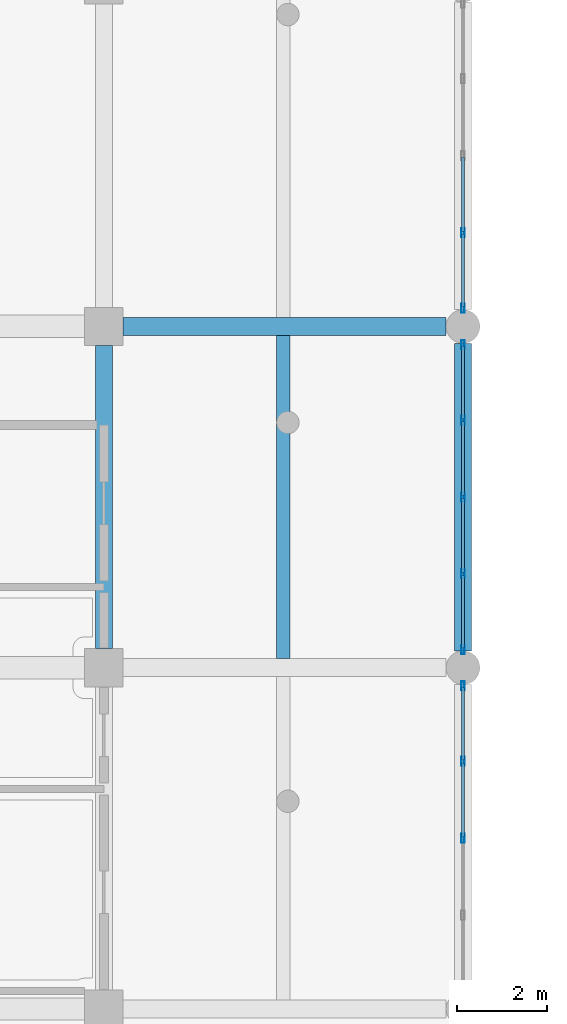
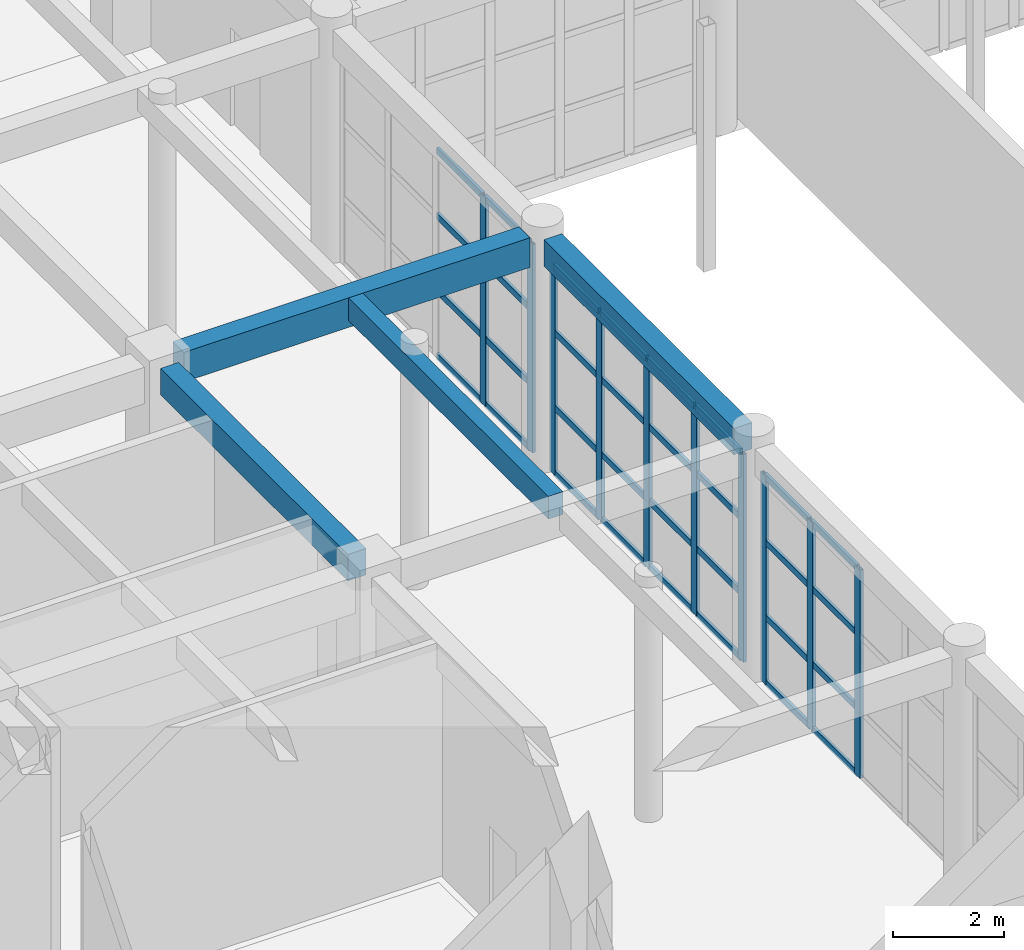
# One storey, part 36 of 95: 42 members, 4 beams, 3 elements without a shape of their own.
"""IFC4 building model written with IfcOpenShell, lengths in metres."""

import ifcopenshell
import ifcopenshell.guid

model = None  # the IFC model being written
_history = None  # IfcOwnerHistory: only IFC2X3 demands one
_inside = {}  # id of a spatial element -> (the spatial element, [elements in it])
_under = {}  # id of a project, library or spatial element -> (it, [spatial elements below it])
_declared = {}  # id of a project -> (the project, [libraries it declares])
_typed = {}  # id of a type object -> (the type object, [elements of that type])
_made_of = {}  # id of a material, layer set ... -> (it, [elements and type objects made of it])


def new_model(schema):
    """Start an empty IFC model of exactly this schema.

    Asked for "IFC4X3", IfcOpenShell would pick the latest addendum, in which some entities
    have other attributes; the version numbers below select the first issue.
    IFC2X3 requires an IfcOwnerHistory on every rooted entity: one is made here for all.
    """
    global model, _history
    if schema == "IFC4X3":
        model = ifcopenshell.file(schema_version=(4, 3, 0, 0))
    else:
        model = ifcopenshell.file(schema=schema)
    _inside.clear()
    _under.clear()
    _declared.clear()
    _typed.clear()
    _made_of.clear()
    _history = None
    if model.schema == "IFC2X3":
        org = make("IfcOrganization", Name="unknown")
        user = make(
            "IfcPersonAndOrganization",
            ThePerson=make("IfcPerson", FamilyName="unknown"),
            TheOrganization=org,
        )
        app = make(
            "IfcApplication",
            ApplicationDeveloper=org,
            Version="unknown",
            ApplicationFullName="unknown",
            ApplicationIdentifier="unknown",
        )
        _history = make(
            "IfcOwnerHistory",
            OwningUser=user,
            OwningApplication=app,
            ChangeAction="ADDED",
            CreationDate=0,
        )
    return model


def make(cls, **values):
    """One entity of the class cls with the attributes given. An attribute that is None is left unset."""
    return model.create_entity(
        cls, **{name: value for name, value in values.items() if value is not None}
    )


def rooted(cls, **values):
    """An entity with a GlobalId (a new one), such as an element, a storey or a relation."""
    return make(cls, GlobalId=ifcopenshell.guid.new(), OwnerHistory=_history, **values)


def si_unit(unit_type, name, prefix=None):
    """IfcSIUnit, for example si_unit("LENGTHUNIT", "METRE", prefix="MILLI")."""
    return make("IfcSIUnit", UnitType=unit_type, Prefix=prefix, Name=name)


def assignment(units):
    """IfcUnitAssignment: the units of a project."""
    return None if units is None else make("IfcUnitAssignment", Units=units)


def point(xyz):
    """IfcCartesianPoint."""
    return None if xyz is None else make("IfcCartesianPoint", Coordinates=xyz)


def direction(xyz):
    """IfcDirection."""
    return None if xyz is None else make("IfcDirection", DirectionRatios=xyz)


def frame(location, z_axis=None, x_axis=None):
    """IfcAxis2Placement3D, a coordinate frame: its origin and axes. An axis left out is left unset."""
    return make(
        "IfcAxis2Placement3D",
        Location=point(location),
        Axis=direction(z_axis),
        RefDirection=direction(x_axis),
    )


def frame_2d(location, x_axis=None):
    """IfcAxis2Placement2D, a coordinate frame in the plane: its origin and x axis."""
    return make(
        "IfcAxis2Placement2D", Location=point(location), RefDirection=direction(x_axis)
    )


def origin():
    """The frame at (0, 0, 0) with its axes left unset."""
    return frame((0.0, 0.0, 0.0))


def origin_2d():
    """The frame at (0, 0) in the plane with its x axis left unset."""
    return frame_2d((0.0, 0.0))


def place(relative_to, where):
    """IfcLocalPlacement: puts the frame where relative to a parent placement (None: the world)."""
    return make(
        "IfcLocalPlacement", PlacementRelTo=relative_to, RelativePlacement=where
    )


def context(
    kind, dimensions, precision=None, world=None, true_north=None, identifier=None
):
    """IfcGeometricRepresentationContext, for example the 3D "Model" context."""
    return make(
        "IfcGeometricRepresentationContext",
        ContextIdentifier=identifier,
        ContextType=kind,
        CoordinateSpaceDimension=dimensions,
        Precision=precision,
        WorldCoordinateSystem=world,
        TrueNorth=true_north,
    )


def subcontext(parent, identifier, kind, view, scale=None):
    """IfcGeometricRepresentationSubContext, for example "Body" below "Model"."""
    return make(
        "IfcGeometricRepresentationSubContext",
        ContextIdentifier=identifier,
        ContextType=kind,
        ParentContext=parent,
        TargetScale=scale,
        TargetView=view,
    )


def project(units=None, contexts=None):
    """IfcProject with its units and contexts."""
    return rooted(
        "IfcProject",
        Name="project",
        RepresentationContexts=contexts,
        UnitsInContext=assignment(units),
    )


def spatial(cls, under=None, at=None, **own):
    """A site, building, storey or space (cls), placed at a placement, below another one or the project."""
    s = rooted(cls, ObjectPlacement=at, **own)
    if under is not None:
        _under.setdefault(under.id(), (under, []))[1].append(s)
    return s


def profile(cls, at=None, kind="AREA", **sizes):
    """A parametric profile (cls). Its sizes go by their IFC names, for example OverallWidth=200.0."""
    return make(cls, ProfileType=kind, Position=at, **sizes)


def rectangle(**sizes):
    """IfcRectangleProfileDef."""
    return profile("IfcRectangleProfileDef", **sizes)


def hollow_rectangle(**sizes):
    """IfcRectangleHollowProfileDef."""
    return profile("IfcRectangleHollowProfileDef", **sizes)


def extrude(swept, where, along, depth):
    """IfcExtrudedAreaSolid: the profile swept, set in the frame where, extruded along a direction by depth."""
    return make(
        "IfcExtrudedAreaSolid",
        SweptArea=swept,
        Position=where,
        ExtrudedDirection=direction(along),
        Depth=depth,
    )


def shape(context_of_items, identifier, shape_type, items):
    """IfcShapeRepresentation: the items that make up one representation, for example the "Body"."""
    return make(
        "IfcShapeRepresentation",
        ContextOfItems=context_of_items,
        RepresentationIdentifier=identifier,
        RepresentationType=shape_type,
        Items=items,
    )


def material(Name=None, Category=None):
    """IfcMaterial."""
    return make("IfcMaterial", Name=Name, Category=Category)


def material_profile(
    of_material, cross_section, Name=None, Category=None, Priority=None
):
    """IfcMaterialProfile: a cross section and its material."""
    return make(
        "IfcMaterialProfile",
        Name=Name,
        Material=of_material,
        Profile=cross_section,
        Priority=Priority,
        Category=Category,
    )


def profile_set(profiles, Name=None, composite=None):
    """IfcMaterialProfileSet."""
    return make(
        "IfcMaterialProfileSet",
        Name=Name,
        MaterialProfiles=profiles,
        CompositeProfile=composite,
    )


def made_of(thing, what):
    """Note that an element or type object is made of a material, layer set ...; save() writes the relation."""
    if what is not None:
        _made_of.setdefault(what.id(), (what, []))[1].append(thing)
    return thing


def type_object(cls, material=None, **own):
    """A type object (cls), such as IfcWallType, which elements share."""
    return made_of(rooted(cls, **own), material)


def element(
    cls,
    number,
    at=None,
    inside=None,
    cuts=None,
    type_object=None,
    material=None,
    context=None,
    identifier="Body",
    shape_type=None,
    held_by="IfcProductDefinitionShape",
    body=None,
    shapes=None,
    **own,
):
    """One element of the class cls, such as IfcWall. Its Tag is "e" and its number.

    at: its placement. inside: the storey or other place that contains it. cuts: it is an
    opening in that element (IfcRelVoidsElement). A single representation is given by context,
    identifier, shape_type and body (its items); several are given by shapes. held_by: the class
    of the entity that holds the representations. save() writes the other relations.
    """
    e = rooted(cls, Tag="e%d" % number, ObjectPlacement=at, **own)
    if body is not None:
        shapes = [shape(context, identifier, shape_type, body)]
    if shapes is not None:
        e.Representation = make(held_by, Representations=shapes)
    if inside is not None:
        _inside.setdefault(inside.id(), (inside, []))[1].append(e)
    if cuts is not None:
        rooted(
            "IfcRelVoidsElement", RelatingBuildingElement=cuts, RelatedOpeningElement=e
        )
    if type_object is not None:
        _typed.setdefault(type_object.id(), (type_object, []))[1].append(e)
    return made_of(e, material)


def aggregate(whole, parts):
    """IfcRelAggregates: a whole, such as a stair, and the parts it consists of."""
    return rooted("IfcRelAggregates", RelatingObject=whole, RelatedObjects=parts)


def save(model, path):
    """Write the relations noted so far, then the file.

    IfcRelAggregates (storeys below a building ...), IfcRelContainedInSpatialStructure (elements
    in a storey), IfcRelDefinesByType, IfcRelAssociatesMaterial and IfcRelDeclares: one each for
    every whole, place, type object, material and project.
    """
    for whole, parts in _under.values():
        aggregate(whole, parts)
    for where, things in _inside.values():
        rooted(
            "IfcRelContainedInSpatialStructure",
            RelatedElements=things,
            RelatingStructure=where,
        )
    for kind, things in _typed.values():
        rooted("IfcRelDefinesByType", RelatedObjects=things, RelatingType=kind)
    for what, things in _made_of.values():
        rooted("IfcRelAssociatesMaterial", RelatedObjects=things, RelatingMaterial=what)
    for by, libraries in _declared.values():
        rooted("IfcRelDeclares", RelatingContext=by, RelatedDefinitions=libraries)
    model.write(path)


model = new_model("IFC4")

# Units and contexts
model_context = context("Model", 3, precision=1e-05, world=origin(), true_north=direction((0.0, 1.0)))
body_context = subcontext(model_context, "Body", "Model", "MODEL_VIEW")
ifc_project = project(units=[si_unit("LENGTHUNIT", "METRE"), si_unit("AREAUNIT", "SQUARE_METRE"), si_unit("VOLUMEUNIT", "CUBIC_METRE"), si_unit("PLANEANGLEUNIT", "RADIAN"), si_unit("MASSUNIT", "GRAM", prefix="KILO")], contexts=[model_context])

# Site, building, storey
site_placement = place(None, origin())
site = spatial("IfcSite", under=ifc_project, at=site_placement, CompositionType="ELEMENT")
building_placement = place(site_placement, origin())
building = spatial("IfcBuilding", under=site, at=building_placement, Name="Zantavel Square City Hall", CompositionType="ELEMENT")
storey_placement = place(building_placement, origin())
storey = spatial("IfcBuildingStorey", under=building, at=storey_placement, Name="L01", CompositionType="ELEMENT", Elevation=0.0)

# Beams
ifc_material_1 = material(Name="Concrete C35/45", Category="concrete")
ifc_material_profile_1 = material_profile(ifc_material_1, rectangle(XDim=0.3798828125, YDim=0.580078125, at=origin_2d()), Name="RC 380x580")
ifc_profile_set_1 = profile_set([ifc_material_profile_1], Name="Concrete C35/45")
beam_type_1 = type_object("IfcBeamType", Name="Annex Secondary Beam RC 380x580 C35/45", PredefinedType="BEAM", material=ifc_profile_set_1)
beam_1_placement = place(storey_placement, frame((112.0, 53.625, 4.8701171875), z_axis=(0.0, 1.0, 0.0), x_axis=(-1.0, 0.0, 0.0)))
element("IfcBeam", 1, at=beam_1_placement, inside=storey, type_object=beam_type_1, Name="L01 Beam BMY-L01-1120-0532", PredefinedType="BEAM", context=body_context, shape_type="SweptSolid", body=[
    extrude(rectangle(XDim=0.3798828125, YDim=0.580078125, at=origin_2d()), origin(), (0.0, 0.0, 1.0), 6.75),
])
beam_2_placement = place(storey_placement, frame((120.0, 53.574951171875, 4.8701171875), z_axis=(0.0, 1.0, 0.0), x_axis=(-1.0, 0.0, 0.0)))
element("IfcBeam", 2, at=beam_2_placement, inside=storey, type_object=beam_type_1, Name="L01 Beam BMY-L01-1200-0532", PredefinedType="BEAM", context=body_context, shape_type="SweptSolid", body=[
    extrude(rectangle(XDim=0.3798828125, YDim=0.580078125, at=origin_2d()), origin(), (0.0, 0.0, 1.0), 6.85009765625),
])

# Curtain wall, members
ifc_material_2 = material(Name="Anodised aluminium 6063-T6", Category="aluminium")
curtain_wall_type = type_object("IfcCurtainWallType", Name="Curtain Wall CRT 6850x4580", PredefinedType="USERDEFINED", material=ifc_material_2)
curtain_wall_1_placement = place(storey_placement, origin())
curtain_wall_1 = element("IfcCurtainWall", 3, at=curtain_wall_1_placement, inside=storey, type_object=curtain_wall_type, Name="L01 Glazed Curtain Wall CW-L01-023", ObjectType="GLAZED CURTAIN WALL", PredefinedType="USERDEFINED")
ifc_material_profile_2 = material_profile(ifc_material_2, hollow_rectangle(XDim=0.070068359375, YDim=0.199951171875, WallThickness=0.00439453125, at=origin_2d()), Name="ALU 70x200x4.5")
ifc_profile_set_2 = profile_set([ifc_material_profile_2], Name="Anodised aluminium 6063-T6")
member_type_1 = type_object("IfcMemberType", Name="CW Heavy Hall Mullion ALU 70x200x4.5", PredefinedType="MULLION", material=ifc_profile_set_2)
member_1_placement = place(storey_placement, frame((120.0, 62.887451171875, 0.0), z_axis=(0.0, 0.0, 1.0), x_axis=(1.0, 0.0, 0.0)))
member_1 = element("IfcMember", 4, at=member_1_placement, type_object=member_type_1, Name="CW-023 mullion 4", PredefinedType="MULLION", context=body_context, shape_type="SweptSolid", body=[
    extrude(hollow_rectangle(XDim=0.070068359375, YDim=0.199951171875, WallThickness=0.00439453125, at=origin_2d()), origin(), (0.0, 0.0, 1.0), 4.580078125),
])
member_2_placement = place(storey_placement, frame((120.0, 61.205078125, 0.0), z_axis=(0.0, 0.0, 1.0), x_axis=(1.0, 0.0, 0.0)))
member_2 = element("IfcMember", 5, at=member_2_placement, type_object=member_type_1, Name="CW-023 mullion 5", PredefinedType="MULLION", context=body_context, shape_type="SweptSolid", body=[
    extrude(hollow_rectangle(XDim=0.070068359375, YDim=0.199951171875, WallThickness=0.00439453125, at=origin_2d()), origin(), (0.0, 0.0, 1.0), 4.580078125),
])

curtain_wall_2_placement = place(storey_placement, origin())
curtain_wall_2 = element("IfcCurtainWall", 6, at=curtain_wall_2_placement, inside=storey, type_object=curtain_wall_type, Name="L01 Glazed Curtain Wall CW-L01-024", ObjectType="GLAZED CURTAIN WALL", PredefinedType="USERDEFINED")
member_3_placement = place(storey_placement, frame((120.0, 60.39501953125, 0.0), z_axis=(0.0, 0.0, 1.0), x_axis=(1.0, 0.0, 0.0)))
member_3 = element("IfcMember", 7, at=member_3_placement, type_object=member_type_1, Name="CW-024 mullion 1", PredefinedType="MULLION", context=body_context, shape_type="SweptSolid", body=[
    extrude(hollow_rectangle(XDim=0.070068359375, YDim=0.199951171875, WallThickness=0.00439453125, at=origin_2d()), origin(), (0.0, 0.0, 1.0), 4.580078125),
])
member_4_placement = place(storey_placement, frame((120.0, 58.71240234375, 0.0), z_axis=(0.0, 0.0, 1.0), x_axis=(1.0, 0.0, 0.0)))
member_4 = element("IfcMember", 8, at=member_4_placement, type_object=member_type_1, Name="CW-024 mullion 2", PredefinedType="MULLION", context=body_context, shape_type="SweptSolid", body=[
    extrude(hollow_rectangle(XDim=0.070068359375, YDim=0.199951171875, WallThickness=0.00439453125, at=origin_2d()), origin(), (0.0, 0.0, 1.0), 4.580078125),
])
member_5_placement = place(storey_placement, frame((120.0, 57.0, 0.0), z_axis=(0.0, 0.0, 1.0), x_axis=(1.0, 0.0, 0.0)))
member_5 = element("IfcMember", 9, at=member_5_placement, type_object=member_type_1, Name="CW-024 mullion 3", PredefinedType="MULLION", context=body_context, shape_type="SweptSolid", body=[
    extrude(hollow_rectangle(XDim=0.070068359375, YDim=0.199951171875, WallThickness=0.00439453125, at=origin_2d()), origin(), (0.0, 0.0, 1.0), 4.580078125),
])
member_6_placement = place(storey_placement, frame((120.0, 55.28759765625, 0.0), z_axis=(0.0, 0.0, 1.0), x_axis=(1.0, 0.0, 0.0)))
member_6 = element("IfcMember", 10, at=member_6_placement, type_object=member_type_1, Name="CW-024 mullion 4", PredefinedType="MULLION", context=body_context, shape_type="SweptSolid", body=[
    extrude(hollow_rectangle(XDim=0.070068359375, YDim=0.199951171875, WallThickness=0.00439453125, at=origin_2d()), origin(), (0.0, 0.0, 1.0), 4.580078125),
])
member_7_placement = place(storey_placement, frame((120.0, 53.60498046875, 0.0), z_axis=(0.0, 0.0, 1.0), x_axis=(1.0, 0.0, 0.0)))
member_7 = element("IfcMember", 11, at=member_7_placement, type_object=member_type_1, Name="CW-024 mullion 5", PredefinedType="MULLION", context=body_context, shape_type="SweptSolid", body=[
    extrude(hollow_rectangle(XDim=0.070068359375, YDim=0.199951171875, WallThickness=0.00439453125, at=origin_2d()), origin(), (0.0, 0.0, 1.0), 4.580078125),
])

curtain_wall_3_placement = place(storey_placement, origin())
curtain_wall_3 = element("IfcCurtainWall", 12, at=curtain_wall_3_placement, inside=storey, type_object=curtain_wall_type, Name="L01 Glazed Curtain Wall CW-L01-025", ObjectType="GLAZED CURTAIN WALL", PredefinedType="USERDEFINED")
member_8_placement = place(storey_placement, frame((120.0, 52.794921875, 0.0), z_axis=(0.0, 0.0, 1.0), x_axis=(1.0, 0.0, 0.0)))
member_8 = element("IfcMember", 13, at=member_8_placement, type_object=member_type_1, Name="CW-025 mullion 1", PredefinedType="MULLION", context=body_context, shape_type="SweptSolid", body=[
    extrude(hollow_rectangle(XDim=0.070068359375, YDim=0.199951171875, WallThickness=0.00439453125, at=origin_2d()), origin(), (0.0, 0.0, 1.0), 4.580078125),
])
member_9_placement = place(storey_placement, frame((120.0, 51.112548828125, 0.0), z_axis=(0.0, 0.0, 1.0), x_axis=(1.0, 0.0, 0.0)))
member_9 = element("IfcMember", 14, at=member_9_placement, type_object=member_type_1, Name="CW-025 mullion 2", PredefinedType="MULLION", context=body_context, shape_type="SweptSolid", body=[
    extrude(hollow_rectangle(XDim=0.070068359375, YDim=0.199951171875, WallThickness=0.00439453125, at=origin_2d()), origin(), (0.0, 0.0, 1.0), 4.580078125),
])
member_10_placement = place(storey_placement, frame((120.0, 49.39990234375, 0.0), z_axis=(0.0, 0.0, 1.0), x_axis=(1.0, 0.0, 0.0)))
member_10 = element("IfcMember", 15, at=member_10_placement, type_object=member_type_1, Name="CW-025 mullion 3", PredefinedType="MULLION", context=body_context, shape_type="SweptSolid", body=[
    extrude(hollow_rectangle(XDim=0.070068359375, YDim=0.199951171875, WallThickness=0.00439453125, at=origin_2d()), origin(), (0.0, 0.0, 1.0), 4.580078125),
])

# Member
ifc_material_profile_3 = material_profile(ifc_material_2, hollow_rectangle(XDim=0.06005859375, YDim=0.139892578125, WallThickness=0.00390625, at=origin_2d()), Name="ALU 60x140x4")
ifc_profile_set_3 = profile_set([ifc_material_profile_3], Name="Anodised aluminium 6063-T6")
member_type_2 = type_object("IfcMemberType", Name="CW Transom ALU 60x140x4", PredefinedType="USERDEFINED", material=ifc_profile_set_3)
member_11_placement = place(storey_placement, frame((120.0, 64.570068359375, 0.030029296875), z_axis=(0.0, -1.0, 0.0), x_axis=(1.0, 0.0, 0.0)))
member_11 = element("IfcMember", 16, at=member_11_placement, type_object=member_type_2, Name="CW-023 transom 3.1", ObjectType="TRANSOM", PredefinedType="USERDEFINED", context=body_context, shape_type="SweptSolid", body=[
    extrude(hollow_rectangle(XDim=0.06005859375, YDim=0.139892578125, WallThickness=0.00390625, at=origin_2d()), origin(), (0.0, 0.0, 1.0), 1.652587890625),
])

member_12_placement = place(storey_placement, frame((120.0, 64.570068359375, 1.466064453125), z_axis=(0.0, -1.0, 0.0), x_axis=(1.0, 0.0, 0.0)))
member_12 = element("IfcMember", 17, at=member_12_placement, type_object=member_type_2, Name="CW-023 transom 3.2", ObjectType="TRANSOM", PredefinedType="USERDEFINED", context=body_context, shape_type="SweptSolid", body=[
    extrude(hollow_rectangle(XDim=0.06005859375, YDim=0.139892578125, WallThickness=0.00390625, at=origin_2d()), origin(), (0.0, 0.0, 1.0), 1.652587890625),
])

member_13_placement = place(storey_placement, frame((120.0, 64.570068359375, 3.114013671875), z_axis=(0.0, -1.0, 0.0), x_axis=(1.0, 0.0, 0.0)))
member_13 = element("IfcMember", 18, at=member_13_placement, type_object=member_type_2, Name="CW-023 transom 3.3", ObjectType="TRANSOM", PredefinedType="USERDEFINED", context=body_context, shape_type="SweptSolid", body=[
    extrude(hollow_rectangle(XDim=0.06005859375, YDim=0.139892578125, WallThickness=0.00390625, at=origin_2d()), origin(), (0.0, 0.0, 1.0), 1.652587890625),
])

member_14_placement = place(storey_placement, frame((120.0, 64.570068359375, 4.550048828125), z_axis=(0.0, -1.0, 0.0), x_axis=(1.0, 0.0, 0.0)))
member_14 = element("IfcMember", 19, at=member_14_placement, type_object=member_type_2, Name="CW-023 transom 3.4", ObjectType="TRANSOM", PredefinedType="USERDEFINED", context=body_context, shape_type="SweptSolid", body=[
    extrude(hollow_rectangle(XDim=0.06005859375, YDim=0.139892578125, WallThickness=0.00390625, at=origin_2d()), origin(), (0.0, 0.0, 1.0), 1.652587890625),
])

member_15_placement = place(storey_placement, frame((120.0, 62.857421875, 0.030029296875), z_axis=(0.0, -1.0, 0.0), x_axis=(1.0, 0.0, 0.0)))
member_15 = element("IfcMember", 20, at=member_15_placement, type_object=member_type_2, Name="CW-023 transom 4.1", ObjectType="TRANSOM", PredefinedType="USERDEFINED", context=body_context, shape_type="SweptSolid", body=[
    extrude(hollow_rectangle(XDim=0.06005859375, YDim=0.139892578125, WallThickness=0.00390625, at=origin_2d()), origin(), (0.0, 0.0, 1.0), 1.622314453125),
])

member_16_placement = place(storey_placement, frame((120.0, 62.857421875, 1.466064453125), z_axis=(0.0, -1.0, 0.0), x_axis=(1.0, 0.0, 0.0)))
member_16 = element("IfcMember", 21, at=member_16_placement, type_object=member_type_2, Name="CW-023 transom 4.2", ObjectType="TRANSOM", PredefinedType="USERDEFINED", context=body_context, shape_type="SweptSolid", body=[
    extrude(hollow_rectangle(XDim=0.06005859375, YDim=0.139892578125, WallThickness=0.00390625, at=origin_2d()), origin(), (0.0, 0.0, 1.0), 1.622314453125),
])

member_17_placement = place(storey_placement, frame((120.0, 62.857421875, 3.114013671875), z_axis=(0.0, -1.0, 0.0), x_axis=(1.0, 0.0, 0.0)))
member_17 = element("IfcMember", 22, at=member_17_placement, type_object=member_type_2, Name="CW-023 transom 4.3", ObjectType="TRANSOM", PredefinedType="USERDEFINED", context=body_context, shape_type="SweptSolid", body=[
    extrude(hollow_rectangle(XDim=0.06005859375, YDim=0.139892578125, WallThickness=0.00390625, at=origin_2d()), origin(), (0.0, 0.0, 1.0), 1.622314453125),
])

member_18_placement = place(storey_placement, frame((120.0, 62.857421875, 4.550048828125), z_axis=(0.0, -1.0, 0.0), x_axis=(1.0, 0.0, 0.0)))
member_18 = element("IfcMember", 23, at=member_18_placement, type_object=member_type_2, Name="CW-023 transom 4.4", ObjectType="TRANSOM", PredefinedType="USERDEFINED", context=body_context, shape_type="SweptSolid", body=[
    extrude(hollow_rectangle(XDim=0.06005859375, YDim=0.139892578125, WallThickness=0.00390625, at=origin_2d()), origin(), (0.0, 0.0, 1.0), 1.622314453125),
])

aggregate(curtain_wall_1, [member_1, member_2, member_11, member_12, member_13, member_14, member_15, member_16, member_17, member_18])

member_19_placement = place(storey_placement, frame((120.0, 60.364990234375, 0.030029296875), z_axis=(0.0, -1.0, 0.0), x_axis=(1.0, 0.0, 0.0)))
member_19 = element("IfcMember", 24, at=member_19_placement, type_object=member_type_2, Name="CW-024 transom 1.1", ObjectType="TRANSOM", PredefinedType="USERDEFINED", context=body_context, shape_type="SweptSolid", body=[
    extrude(hollow_rectangle(XDim=0.06005859375, YDim=0.139892578125, WallThickness=0.00390625, at=origin_2d()), origin(), (0.0, 0.0, 1.0), 1.62255859375),
])

member_20_placement = place(storey_placement, frame((120.0, 60.364990234375, 1.466064453125), z_axis=(0.0, -1.0, 0.0), x_axis=(1.0, 0.0, 0.0)))
member_20 = element("IfcMember", 25, at=member_20_placement, type_object=member_type_2, Name="CW-024 transom 1.2", ObjectType="TRANSOM", PredefinedType="USERDEFINED", context=body_context, shape_type="SweptSolid", body=[
    extrude(hollow_rectangle(XDim=0.06005859375, YDim=0.139892578125, WallThickness=0.00390625, at=origin_2d()), origin(), (0.0, 0.0, 1.0), 1.62255859375),
])

member_21_placement = place(storey_placement, frame((120.0, 60.364990234375, 3.114013671875), z_axis=(0.0, -1.0, 0.0), x_axis=(1.0, 0.0, 0.0)))
member_21 = element("IfcMember", 26, at=member_21_placement, type_object=member_type_2, Name="CW-024 transom 1.3", ObjectType="TRANSOM", PredefinedType="USERDEFINED", context=body_context, shape_type="SweptSolid", body=[
    extrude(hollow_rectangle(XDim=0.06005859375, YDim=0.139892578125, WallThickness=0.00390625, at=origin_2d()), origin(), (0.0, 0.0, 1.0), 1.62255859375),
])

member_22_placement = place(storey_placement, frame((120.0, 60.364990234375, 4.550048828125), z_axis=(0.0, -1.0, 0.0), x_axis=(1.0, 0.0, 0.0)))
member_22 = element("IfcMember", 27, at=member_22_placement, type_object=member_type_2, Name="CW-024 transom 1.4", ObjectType="TRANSOM", PredefinedType="USERDEFINED", context=body_context, shape_type="SweptSolid", body=[
    extrude(hollow_rectangle(XDim=0.06005859375, YDim=0.139892578125, WallThickness=0.00390625, at=origin_2d()), origin(), (0.0, 0.0, 1.0), 1.62255859375),
])

member_23_placement = place(storey_placement, frame((120.0, 58.6826171875, 0.030029296875), z_axis=(0.0, -1.0, 0.0), x_axis=(1.0, 0.0, 0.0)))
member_23 = element("IfcMember", 28, at=member_23_placement, type_object=member_type_2, Name="CW-024 transom 2.1", ObjectType="TRANSOM", PredefinedType="USERDEFINED", context=body_context, shape_type="SweptSolid", body=[
    extrude(hollow_rectangle(XDim=0.06005859375, YDim=0.139892578125, WallThickness=0.00390625, at=origin_2d()), origin(), (0.0, 0.0, 1.0), 1.652587890625),
])

member_24_placement = place(storey_placement, frame((120.0, 58.6826171875, 1.466064453125), z_axis=(0.0, -1.0, 0.0), x_axis=(1.0, 0.0, 0.0)))
member_24 = element("IfcMember", 29, at=member_24_placement, type_object=member_type_2, Name="CW-024 transom 2.2", ObjectType="TRANSOM", PredefinedType="USERDEFINED", context=body_context, shape_type="SweptSolid", body=[
    extrude(hollow_rectangle(XDim=0.06005859375, YDim=0.139892578125, WallThickness=0.00390625, at=origin_2d()), origin(), (0.0, 0.0, 1.0), 1.652587890625),
])

member_25_placement = place(storey_placement, frame((120.0, 58.6826171875, 3.114013671875), z_axis=(0.0, -1.0, 0.0), x_axis=(1.0, 0.0, 0.0)))
member_25 = element("IfcMember", 30, at=member_25_placement, type_object=member_type_2, Name="CW-024 transom 2.3", ObjectType="TRANSOM", PredefinedType="USERDEFINED", context=body_context, shape_type="SweptSolid", body=[
    extrude(hollow_rectangle(XDim=0.06005859375, YDim=0.139892578125, WallThickness=0.00390625, at=origin_2d()), origin(), (0.0, 0.0, 1.0), 1.652587890625),
])

member_26_placement = place(storey_placement, frame((120.0, 58.6826171875, 4.550048828125), z_axis=(0.0, -1.0, 0.0), x_axis=(1.0, 0.0, 0.0)))
member_26 = element("IfcMember", 31, at=member_26_placement, type_object=member_type_2, Name="CW-024 transom 2.4", ObjectType="TRANSOM", PredefinedType="USERDEFINED", context=body_context, shape_type="SweptSolid", body=[
    extrude(hollow_rectangle(XDim=0.06005859375, YDim=0.139892578125, WallThickness=0.00390625, at=origin_2d()), origin(), (0.0, 0.0, 1.0), 1.652587890625),
])

member_27_placement = place(storey_placement, frame((120.0, 56.969970703125, 0.030029296875), z_axis=(0.0, -1.0, 0.0), x_axis=(1.0, 0.0, 0.0)))
member_27 = element("IfcMember", 32, at=member_27_placement, type_object=member_type_2, Name="CW-024 transom 3.1", ObjectType="TRANSOM", PredefinedType="USERDEFINED", context=body_context, shape_type="SweptSolid", body=[
    extrude(hollow_rectangle(XDim=0.06005859375, YDim=0.139892578125, WallThickness=0.00390625, at=origin_2d()), origin(), (0.0, 0.0, 1.0), 1.652587890625),
])

member_28_placement = place(storey_placement, frame((120.0, 56.969970703125, 1.466064453125), z_axis=(0.0, -1.0, 0.0), x_axis=(1.0, 0.0, 0.0)))
member_28 = element("IfcMember", 33, at=member_28_placement, type_object=member_type_2, Name="CW-024 transom 3.2", ObjectType="TRANSOM", PredefinedType="USERDEFINED", context=body_context, shape_type="SweptSolid", body=[
    extrude(hollow_rectangle(XDim=0.06005859375, YDim=0.139892578125, WallThickness=0.00390625, at=origin_2d()), origin(), (0.0, 0.0, 1.0), 1.652587890625),
])

member_29_placement = place(storey_placement, frame((120.0, 56.969970703125, 3.114013671875), z_axis=(0.0, -1.0, 0.0), x_axis=(1.0, 0.0, 0.0)))
member_29 = element("IfcMember", 34, at=member_29_placement, type_object=member_type_2, Name="CW-024 transom 3.3", ObjectType="TRANSOM", PredefinedType="USERDEFINED", context=body_context, shape_type="SweptSolid", body=[
    extrude(hollow_rectangle(XDim=0.06005859375, YDim=0.139892578125, WallThickness=0.00390625, at=origin_2d()), origin(), (0.0, 0.0, 1.0), 1.652587890625),
])

member_30_placement = place(storey_placement, frame((120.0, 56.969970703125, 4.550048828125), z_axis=(0.0, -1.0, 0.0), x_axis=(1.0, 0.0, 0.0)))
member_30 = element("IfcMember", 35, at=member_30_placement, type_object=member_type_2, Name="CW-024 transom 3.4", ObjectType="TRANSOM", PredefinedType="USERDEFINED", context=body_context, shape_type="SweptSolid", body=[
    extrude(hollow_rectangle(XDim=0.06005859375, YDim=0.139892578125, WallThickness=0.00390625, at=origin_2d()), origin(), (0.0, 0.0, 1.0), 1.652587890625),
])

member_31_placement = place(storey_placement, frame((120.0, 55.257568359375, 0.030029296875), z_axis=(0.0, -1.0, 0.0), x_axis=(1.0, 0.0, 0.0)))
member_31 = element("IfcMember", 36, at=member_31_placement, type_object=member_type_2, Name="CW-024 transom 4.1", ObjectType="TRANSOM", PredefinedType="USERDEFINED", context=body_context, shape_type="SweptSolid", body=[
    extrude(hollow_rectangle(XDim=0.06005859375, YDim=0.139892578125, WallThickness=0.00390625, at=origin_2d()), origin(), (0.0, 0.0, 1.0), 1.62255859375),
])

member_32_placement = place(storey_placement, frame((120.0, 55.257568359375, 1.466064453125), z_axis=(0.0, -1.0, 0.0), x_axis=(1.0, 0.0, 0.0)))
member_32 = element("IfcMember", 37, at=member_32_placement, type_object=member_type_2, Name="CW-024 transom 4.2", ObjectType="TRANSOM", PredefinedType="USERDEFINED", context=body_context, shape_type="SweptSolid", body=[
    extrude(hollow_rectangle(XDim=0.06005859375, YDim=0.139892578125, WallThickness=0.00390625, at=origin_2d()), origin(), (0.0, 0.0, 1.0), 1.62255859375),
])

member_33_placement = place(storey_placement, frame((120.0, 55.257568359375, 3.114013671875), z_axis=(0.0, -1.0, 0.0), x_axis=(1.0, 0.0, 0.0)))
member_33 = element("IfcMember", 38, at=member_33_placement, type_object=member_type_2, Name="CW-024 transom 4.3", ObjectType="TRANSOM", PredefinedType="USERDEFINED", context=body_context, shape_type="SweptSolid", body=[
    extrude(hollow_rectangle(XDim=0.06005859375, YDim=0.139892578125, WallThickness=0.00390625, at=origin_2d()), origin(), (0.0, 0.0, 1.0), 1.62255859375),
])

member_34_placement = place(storey_placement, frame((120.0, 55.257568359375, 4.550048828125), z_axis=(0.0, -1.0, 0.0), x_axis=(1.0, 0.0, 0.0)))
member_34 = element("IfcMember", 39, at=member_34_placement, type_object=member_type_2, Name="CW-024 transom 4.4", ObjectType="TRANSOM", PredefinedType="USERDEFINED", context=body_context, shape_type="SweptSolid", body=[
    extrude(hollow_rectangle(XDim=0.06005859375, YDim=0.139892578125, WallThickness=0.00390625, at=origin_2d()), origin(), (0.0, 0.0, 1.0), 1.62255859375),
])

aggregate(curtain_wall_2, [member_3, member_4, member_5, member_6, member_7, member_19, member_20, member_21, member_22, member_23, member_24, member_25, member_26, member_27, member_28, member_29, member_30, member_31, member_32, member_33, member_34])

member_35_placement = place(storey_placement, frame((120.0, 52.764892578125, 0.030029296875), z_axis=(0.0, -1.0, 0.0), x_axis=(1.0, 0.0, 0.0)))
member_35 = element("IfcMember", 40, at=member_35_placement, type_object=member_type_2, Name="CW-025 transom 1.1", ObjectType="TRANSOM", PredefinedType="USERDEFINED", context=body_context, shape_type="SweptSolid", body=[
    extrude(hollow_rectangle(XDim=0.06005859375, YDim=0.139892578125, WallThickness=0.00390625, at=origin_2d()), origin(), (0.0, 0.0, 1.0), 1.622314453125),
])

member_36_placement = place(storey_placement, frame((120.0, 52.764892578125, 1.466064453125), z_axis=(0.0, -1.0, 0.0), x_axis=(1.0, 0.0, 0.0)))
member_36 = element("IfcMember", 41, at=member_36_placement, type_object=member_type_2, Name="CW-025 transom 1.2", ObjectType="TRANSOM", PredefinedType="USERDEFINED", context=body_context, shape_type="SweptSolid", body=[
    extrude(hollow_rectangle(XDim=0.06005859375, YDim=0.139892578125, WallThickness=0.00390625, at=origin_2d()), origin(), (0.0, 0.0, 1.0), 1.622314453125),
])

member_37_placement = place(storey_placement, frame((120.0, 52.764892578125, 3.114013671875), z_axis=(0.0, -1.0, 0.0), x_axis=(1.0, 0.0, 0.0)))
member_37 = element("IfcMember", 42, at=member_37_placement, type_object=member_type_2, Name="CW-025 transom 1.3", ObjectType="TRANSOM", PredefinedType="USERDEFINED", context=body_context, shape_type="SweptSolid", body=[
    extrude(hollow_rectangle(XDim=0.06005859375, YDim=0.139892578125, WallThickness=0.00390625, at=origin_2d()), origin(), (0.0, 0.0, 1.0), 1.622314453125),
])

member_38_placement = place(storey_placement, frame((120.0, 52.764892578125, 4.550048828125), z_axis=(0.0, -1.0, 0.0), x_axis=(1.0, 0.0, 0.0)))
member_38 = element("IfcMember", 43, at=member_38_placement, type_object=member_type_2, Name="CW-025 transom 1.4", ObjectType="TRANSOM", PredefinedType="USERDEFINED", context=body_context, shape_type="SweptSolid", body=[
    extrude(hollow_rectangle(XDim=0.06005859375, YDim=0.139892578125, WallThickness=0.00390625, at=origin_2d()), origin(), (0.0, 0.0, 1.0), 1.622314453125),
])

member_39_placement = place(storey_placement, frame((120.0, 51.08251953125, 0.030029296875), z_axis=(0.0, -1.0, 0.0), x_axis=(1.0, 0.0, 0.0)))
member_39 = element("IfcMember", 44, at=member_39_placement, type_object=member_type_2, Name="CW-025 transom 2.1", ObjectType="TRANSOM", PredefinedType="USERDEFINED", context=body_context, shape_type="SweptSolid", body=[
    extrude(hollow_rectangle(XDim=0.06005859375, YDim=0.139892578125, WallThickness=0.00390625, at=origin_2d()), origin(), (0.0, 0.0, 1.0), 1.652587890625),
])

member_40_placement = place(storey_placement, frame((120.0, 51.08251953125, 1.466064453125), z_axis=(0.0, -1.0, 0.0), x_axis=(1.0, 0.0, 0.0)))
member_40 = element("IfcMember", 45, at=member_40_placement, type_object=member_type_2, Name="CW-025 transom 2.2", ObjectType="TRANSOM", PredefinedType="USERDEFINED", context=body_context, shape_type="SweptSolid", body=[
    extrude(hollow_rectangle(XDim=0.06005859375, YDim=0.139892578125, WallThickness=0.00390625, at=origin_2d()), origin(), (0.0, 0.0, 1.0), 1.652587890625),
])

member_41_placement = place(storey_placement, frame((120.0, 51.08251953125, 3.114013671875), z_axis=(0.0, -1.0, 0.0), x_axis=(1.0, 0.0, 0.0)))
member_41 = element("IfcMember", 46, at=member_41_placement, type_object=member_type_2, Name="CW-025 transom 2.3", ObjectType="TRANSOM", PredefinedType="USERDEFINED", context=body_context, shape_type="SweptSolid", body=[
    extrude(hollow_rectangle(XDim=0.06005859375, YDim=0.139892578125, WallThickness=0.00390625, at=origin_2d()), origin(), (0.0, 0.0, 1.0), 1.652587890625),
])

member_42_placement = place(storey_placement, frame((120.0, 51.08251953125, 4.550048828125), z_axis=(0.0, -1.0, 0.0), x_axis=(1.0, 0.0, 0.0)))
member_42 = element("IfcMember", 47, at=member_42_placement, type_object=member_type_2, Name="CW-025 transom 2.4", ObjectType="TRANSOM", PredefinedType="USERDEFINED", context=body_context, shape_type="SweptSolid", body=[
    extrude(hollow_rectangle(XDim=0.06005859375, YDim=0.139892578125, WallThickness=0.00390625, at=origin_2d()), origin(), (0.0, 0.0, 1.0), 1.652587890625),
])

aggregate(curtain_wall_3, [member_8, member_9, member_10, member_35, member_36, member_37, member_38, member_39, member_40, member_41, member_42])

# Beams
ifc_material_profile_4 = material_profile(ifc_material_1, rectangle(XDim=0.300048828125, YDim=0.5, at=origin_2d()), Name="RC 300x500")
ifc_profile_set_4 = profile_set([ifc_material_profile_4], Name="Concrete C35/45")
beam_type_2 = type_object("IfcBeamType", Name="Floor Joist RC 300x500 C35/45", PredefinedType="JOIST", material=ifc_profile_set_4)
beam_3_placement = place(storey_placement, frame((116.0, 53.39990234375, 4.909912109375), z_axis=(0.0, 1.0, 0.0), x_axis=(-1.0, 0.0, 0.0)))
element("IfcBeam", 48, at=beam_3_placement, inside=storey, type_object=beam_type_2, Name="L01 Floor Joist JST-L01-1160-0532", PredefinedType="JOIST", context=body_context, shape_type="SweptSolid", body=[
    extrude(rectangle(XDim=0.300048828125, YDim=0.5, at=origin_2d()), origin(), (0.0, 0.0, 1.0), 7.2001953125),
])
ifc_material_profile_5 = material_profile(ifc_material_1, rectangle(XDim=0.39990234375, YDim=0.64990234375, at=origin_2d()), Name="RC 400x650")
ifc_profile_set_5 = profile_set([ifc_material_profile_5], Name="Concrete C35/45")
beam_type_3 = type_object("IfcBeamType", Name="Frame Beam RC 400x650 C35/45", PredefinedType="BEAM", material=ifc_profile_set_5)
beam_4_placement = place(storey_placement, frame((112.425048828125, 60.800048828125, 4.8349609375), z_axis=(1.0, 0.0, 0.0), x_axis=(0.0, 1.0, 0.0)))
element("IfcBeam", 49, at=beam_4_placement, inside=storey, type_object=beam_type_3, Name="L01 Girder BMX-L01-1120-0608", PredefinedType="BEAM", context=body_context, shape_type="SweptSolid", body=[
    extrude(rectangle(XDim=0.39990234375, YDim=0.64990234375, at=origin_2d()), origin(), (0.0, 0.0, 1.0), 7.199951171875),
])

save(model, "model.ifc")
